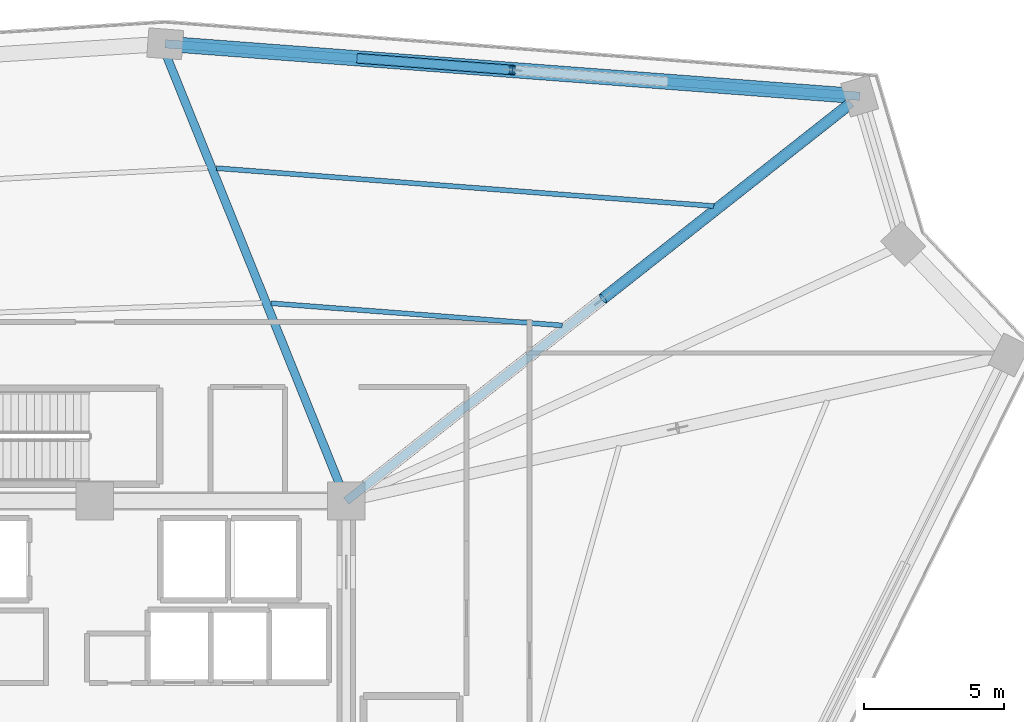
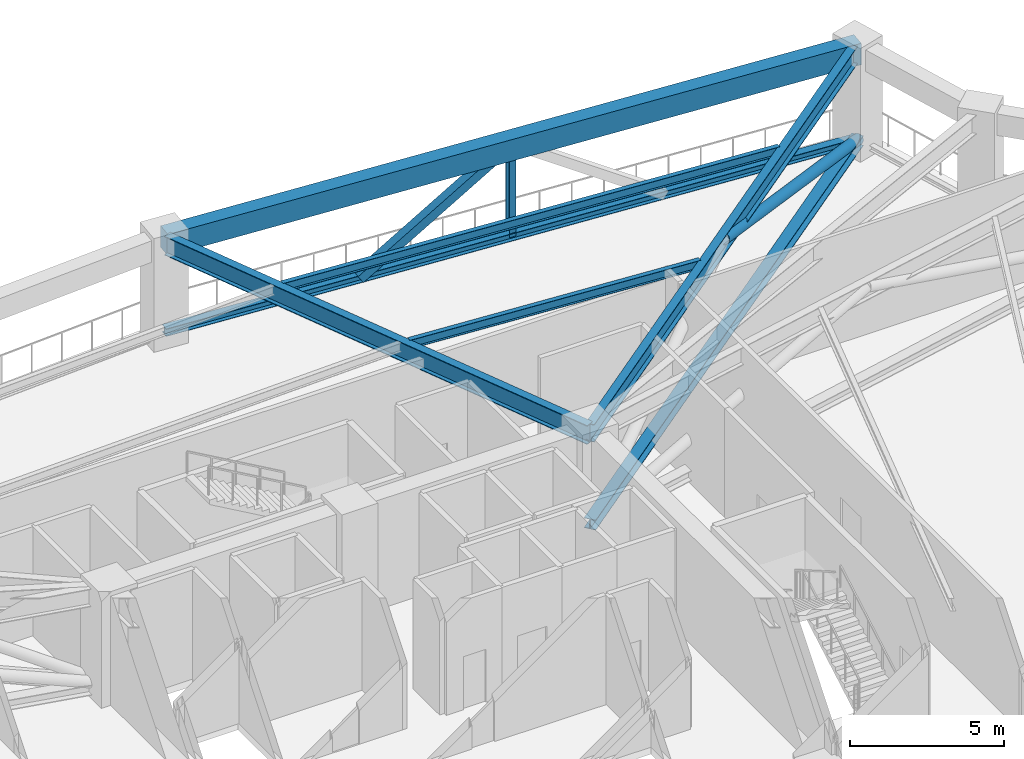
# One storey, part 10 of 25: 5 beams, 5 members.
"""IFC4 building model written with IfcOpenShell, lengths in metres."""

from ifc_helpers import new_model, si_unit, direction, frame, origin, origin_2d, place, context, subcontext, project, spatial, rectangle, hollow_rectangle, hollow_circle, i_section, extrude, source, transform, mapped, material, material_profile, profile_set, type_object, element, save


model = new_model("IFC4")

# Units and contexts
model_context = context("Model", 3, precision=1e-05, world=origin(), true_north=direction((0.0, 1.0)))
body_context = subcontext(model_context, "Body", "Model", "MODEL_VIEW")
ifc_project = project(units=[si_unit("LENGTHUNIT", "METRE"), si_unit("AREAUNIT", "SQUARE_METRE"), si_unit("VOLUMEUNIT", "CUBIC_METRE"), si_unit("PLANEANGLEUNIT", "RADIAN"), si_unit("MASSUNIT", "GRAM", prefix="KILO")], contexts=[model_context])

# Site, building, storey
site_placement = place(None, origin())
site = spatial("IfcSite", under=ifc_project, at=site_placement, CompositionType="ELEMENT")
building_placement = place(site_placement, origin())
building = spatial("IfcBuilding", under=site, at=building_placement, Name="Liaohun Quay Tower", CompositionType="ELEMENT")
storey_placement = place(building_placement, frame((0.0, 0.0, 231.75)))
storey = spatial("IfcBuildingStorey", under=building, at=storey_placement, Name="L60", CompositionType="ELEMENT", Elevation=231.75)

# Member
ifc_material_1 = material(Name="Steel Q355D", Category="steel")
ifc_material_profile_1 = material_profile(ifc_material_1, i_section(OverallWidth=0.25, OverallDepth=0.25, WebThickness=0.009033203125, FlangeThickness=0.013916015625, at=origin_2d()), Name="HW250x250x9x14")
ifc_profile_set_1 = profile_set([ifc_material_profile_1], Name="Steel Q355D")
member_type_1 = type_object("IfcMemberType", Name="MEM-BLT-PST", PredefinedType="POST", material=ifc_profile_set_1)
shared_shape_1 = source(origin(), body_context, "Body", "SweptSolid", [
    extrude(i_section(OverallWidth=0.25, OverallDepth=0.25, WebThickness=0.009033203125, FlangeThickness=0.013916015625, at=origin_2d()), origin(), (0.0, 0.0, 1.0), 3.669921875),
])
member_1_placement = place(storey_placement, frame((74.949951171875, 76.929931640625, 0.35009765625), z_axis=(0.0, 0.0, 1.0), x_axis=(1.0, 0.0, 0.0)))
element("IfcMember", 1, at=member_1_placement, inside=storey, type_object=member_type_1, Name="L60 Belt Truss Vertical Post BP-1-04", PredefinedType="POST", context=body_context, shape_type="MappedRepresentation", body=[
    mapped(shared_shape_1, transform((0.0, 0.0, 0.0), x_axis=(1.0, 0.0, 0.0), y_axis=(0.0, 1.0, 0.0), z_axis=(0.0, 0.0, 1.0), scale=1.0)),
])

# Beams
ifc_material_2 = material(Name="Precast concrete C50", Category="concrete")
ifc_material_profile_2 = material_profile(ifc_material_2, rectangle(XDim=0.550048828125, YDim=0.85009765625, at=origin_2d()), Name="RC550x850")
ifc_profile_set_2 = profile_set([ifc_material_profile_2], Name="Precast concrete C50")
beam_type_1 = type_object("IfcBeamType", Name="BM-SPD-Z3", PredefinedType="SPANDREL", material=ifc_profile_set_2)
shared_shape_2 = source(origin(), body_context, "Body", "SweptSolid", [
    extrude(rectangle(XDim=0.550048828125, YDim=0.85009765625, at=origin_2d()), origin(), (0.0, 0.0, 1.0), 24.934814453125),
])
beam_1_placement = place(storey_placement, frame((62.51806640625, 77.868896484375, 3.89501953125), z_axis=(0.997159904397, -0.075313511823, 0.0), x_axis=(0.075313511823, 0.997159904397, 0.0)))
element("IfcBeam", 2, at=beam_1_placement, inside=storey, type_object=beam_type_1, Name="L60 Precast Spandrel Beam PC06-PC07", PredefinedType="SPANDREL", context=body_context, shape_type="MappedRepresentation", body=[
    mapped(shared_shape_2, transform((0.0, 0.0, 0.0), x_axis=(1.0, 0.0, 0.0), y_axis=(0.0, 1.0, 0.0), z_axis=(0.0, 0.0, 1.0), scale=1.0)),
])
ifc_material_profile_3 = material_profile(ifc_material_1, i_section(OverallWidth=0.300048828125, OverallDepth=0.75, WebThickness=0.013916015625, FlangeThickness=0.02587890625, at=origin_2d()), Name="HN750x300x14x26")
ifc_profile_set_3 = profile_set([ifc_material_profile_3], Name="Steel Q355D")
beam_type_2 = type_object("IfcBeamType", Name="BM-RAD-M2", PredefinedType="BEAM", material=ifc_profile_set_3)
shared_shape_3 = source(origin(), body_context, "Body", "SweptSolid", [
    extrude(i_section(OverallWidth=0.300048828125, OverallDepth=0.75, WebThickness=0.013916015625, FlangeThickness=0.02587890625, at=origin_2d()), origin(), (0.0, 0.0, 1.0), 17.384521484375),
])
beam_2_placement = place(storey_placement, frame((69.0, 61.5, 3.945068359375), z_axis=(-0.374412894449, 0.927262090495, 0.0), x_axis=(-0.927262090495, -0.374412894449, 0.0)))
element("IfcBeam", 3, at=beam_2_placement, inside=storey, type_object=beam_type_2, Name="L60 Radial Primary Girder CC4-PC06", PredefinedType="BEAM", context=body_context, shape_type="MappedRepresentation", body=[
    mapped(shared_shape_3, transform((0.0, 0.0, 0.0), x_axis=(1.0, 0.0, 0.0), y_axis=(0.0, 1.0, 0.0), z_axis=(0.0, 0.0, 1.0), scale=1.0)),
])
ifc_material_profile_4 = material_profile(ifc_material_1, i_section(OverallWidth=0.300048828125, OverallDepth=0.699951171875, WebThickness=0.012939453125, FlangeThickness=0.02392578125, at=origin_2d()), Name="HN700x300x13x24")
ifc_profile_set_4 = profile_set([ifc_material_profile_4], Name="Steel Q355D")
beam_type_3 = type_object("IfcBeamType", Name="BM-RAD-U1", PredefinedType="BEAM", material=ifc_profile_set_4)
shared_shape_4 = source(origin(), body_context, "Body", "SweptSolid", [
    extrude(i_section(OverallWidth=0.300048828125, OverallDepth=0.699951171875, WebThickness=0.012939453125, FlangeThickness=0.02392578125, at=origin_2d()), origin(), (0.0, 0.0, 1.0), 23.018310546875),
])
beam_3_placement = place(storey_placement, frame((69.0, 61.5, 3.969970703125), z_axis=(0.785466672961, 0.618903955123, 0.0), x_axis=(-0.618903955123, 0.785466672961, 0.0)))
element("IfcBeam", 4, at=beam_3_placement, inside=storey, type_object=beam_type_3, Name="L60 Radial Primary Girder CC4-PC07", PredefinedType="BEAM", context=body_context, shape_type="MappedRepresentation", body=[
    mapped(shared_shape_4, transform((0.0, 0.0, 0.0), x_axis=(1.0, 0.0, 0.0), y_axis=(0.0, 1.0, 0.0), z_axis=(0.0, 0.0, 1.0), scale=1.0)),
])
ifc_material_profile_5 = material_profile(ifc_material_1, i_section(OverallWidth=0.175048828125, OverallDepth=0.35009765625, WebThickness=0.007080078125, FlangeThickness=0.010986328125, at=origin_2d()), Name="HN350x175x7x11")
ifc_profile_set_5 = profile_set([ifc_material_profile_5], Name="Steel Q355D")
beam_type_4 = type_object("IfcBeamType", Name="BM-SEC-J3", PredefinedType="JOIST", material=ifc_profile_set_5)
shared_shape_5 = source(origin(), body_context, "Body", "SweptSolid", [
    extrude(i_section(OverallWidth=0.175048828125, OverallDepth=0.35009765625, WebThickness=0.007080078125, FlangeThickness=0.010986328125, at=origin_2d()), origin(), (0.0, 0.0, 1.0), 10.461181640625),
])
beam_4_placement = place(storey_placement, frame((66.302978515625, 68.580078125, 4.14501953125), z_axis=(0.997106965928, -0.076011173506, 0.0), x_axis=(0.076011173506, 0.997106965928, 0.0)))
element("IfcBeam", 5, at=beam_4_placement, inside=storey, type_object=beam_type_4, Name="L60 Wing Secondary Floor Joist SJ-08", PredefinedType="JOIST", context=body_context, shape_type="MappedRepresentation", body=[
    mapped(shared_shape_5, transform((0.0, 0.0, 0.0), x_axis=(1.0, 0.0, 0.0), y_axis=(0.0, 1.0, 0.0), z_axis=(0.0, 0.0, 1.0), scale=1.0)),
])
shared_shape_6 = source(origin(), body_context, "Body", "SweptSolid", [
    extrude(i_section(OverallWidth=0.175048828125, OverallDepth=0.35009765625, WebThickness=0.007080078125, FlangeThickness=0.010986328125, at=origin_2d()), origin(), (0.0, 0.0, 1.0), 17.859375),
])
beam_5_placement = place(storey_placement, frame((64.35009765625, 73.416015625, 4.14501953125), z_axis=(0.997109470076, -0.075978317197, 0.0), x_axis=(0.075978317197, 0.997109470076, 0.0)))
element("IfcBeam", 6, at=beam_5_placement, inside=storey, type_object=beam_type_4, Name="L60 Wing Secondary Floor Joist SJ-09", PredefinedType="JOIST", context=body_context, shape_type="MappedRepresentation", body=[
    mapped(shared_shape_6, transform((0.0, 0.0, 0.0), x_axis=(1.0, 0.0, 0.0), y_axis=(0.0, 1.0, 0.0), z_axis=(0.0, 0.0, 1.0), scale=1.0)),
])

# Members
ifc_material_3 = material(Name="Steel Q420D", Category="steel")
ifc_material_profile_6 = material_profile(ifc_material_3, i_section(OverallWidth=0.407958984375, OverallDepth=0.39990234375, WebThickness=0.02099609375, FlangeThickness=0.02099609375, at=origin_2d()), Name="HW400x408x21x21")
ifc_profile_set_6 = profile_set([ifc_material_profile_6], Name="Steel Q420D")
member_type_2 = type_object("IfcMemberType", Name="MEM-OUT-CH2", PredefinedType="CHORD", material=ifc_profile_set_6)
shared_shape_7 = source(origin(), body_context, "Body", "SweptSolid", [
    extrude(i_section(OverallWidth=0.407958984375, OverallDepth=0.39990234375, WebThickness=0.02099609375, FlangeThickness=0.02099609375, at=origin_2d()), origin(), (0.0, 0.0, 1.0), 23.406982421875),
])
member_2_placement = place(storey_placement, frame((69.0, 61.5, 0.35009765625), z_axis=(0.785323092989, 0.619086132633, 0.0), x_axis=(-0.619086132633, 0.785323092989, 0.0)))
element("IfcMember", 7, at=member_2_placement, inside=storey, type_object=member_type_2, Name="L60 Outrigger Bottom Chord OC-04", PredefinedType="CHORD", context=body_context, shape_type="MappedRepresentation", body=[
    mapped(shared_shape_7, transform((0.0, 0.0, 0.0), x_axis=(1.0, 0.0, 0.0), y_axis=(0.0, 1.0, 0.0), z_axis=(0.0, 0.0, 1.0), scale=1.0)),
])
ifc_material_profile_7 = material_profile(ifc_material_3, hollow_circle(Radius=0.202880859375, WallThickness=0.01611328125, at=origin_2d()), Name="CHS406x16")
ifc_profile_set_7 = profile_set([ifc_material_profile_7], Name="Steel Q420D")
member_type_3 = type_object("IfcMemberType", Name="MEM-OUT-DG2", PredefinedType="BRACE", material=ifc_profile_set_7)
shared_shape_8 = source(origin(), body_context, "Body", "SweptSolid", [
    extrude(hollow_circle(Radius=0.202880859375, WallThickness=0.01611328125, at=origin_2d()), origin(), (0.0, 0.0, 1.0), 12.265625),
])
member_3_placement = place(storey_placement, frame((78.19091796875, 68.7451171875, 4.02001953125), z_axis=(0.749336759036, 0.590739386177, -0.299201268675), x_axis=(-0.61910035912, 0.785311877752, 0.0)))
element("IfcMember", 8, at=member_3_placement, inside=storey, type_object=member_type_3, Name="L60 Outrigger Diagonal OD-04B", PredefinedType="BRACE", context=body_context, shape_type="MappedRepresentation", body=[
    mapped(shared_shape_8, transform((0.0, 0.0, 0.0), x_axis=(1.0, 0.0, 0.0), y_axis=(0.0, 1.0, 0.0), z_axis=(0.0, 0.0, 1.0), scale=1.0)),
])
ifc_material_profile_8 = material_profile(ifc_material_1, i_section(OverallWidth=0.300048828125, OverallDepth=0.300048828125, WebThickness=0.010009765625, FlangeThickness=0.014892578125, at=origin_2d()), Name="HW300x300x10x15")
ifc_profile_set_8 = profile_set([ifc_material_profile_8], Name="Steel Q355D")
member_type_4 = type_object("IfcMemberType", Name="MEM-BLT-CHD", PredefinedType="CHORD", material=ifc_profile_set_8)
shared_shape_9 = source(origin(), body_context, "Body", "SweptSolid", [
    extrude(i_section(OverallWidth=0.300048828125, OverallDepth=0.300048828125, WebThickness=0.010009765625, FlangeThickness=0.014892578125, at=origin_2d()), origin(), (0.0, 0.0, 1.0), 24.934814453125),
])
member_4_placement = place(storey_placement, frame((62.51806640625, 77.868896484375, 0.35009765625), z_axis=(0.997159904397, -0.075313511823, 0.0), x_axis=(0.075313511823, 0.997159904397, 0.0)))
element("IfcMember", 9, at=member_4_placement, inside=storey, type_object=member_type_4, Name="L60 Belt Truss Bottom Chord BC-1-04", PredefinedType="CHORD", context=body_context, shape_type="MappedRepresentation", body=[
    mapped(shared_shape_9, transform((0.0, 0.0, 0.0), x_axis=(1.0, 0.0, 0.0), y_axis=(0.0, 1.0, 0.0), z_axis=(0.0, 0.0, 1.0), scale=1.0)),
])
ifc_material_profile_9 = material_profile(ifc_material_1, hollow_rectangle(XDim=0.35009765625, YDim=0.35009765625, WallThickness=0.01611328125, at=origin_2d()), Name="SHS350x350x16")
ifc_profile_set_9 = profile_set([ifc_material_profile_9], Name="Steel Q355D")
member_type_5 = type_object("IfcMemberType", Name="MEM-BLT-DG2", PredefinedType="BRACE", material=ifc_profile_set_9)
shared_shape_10 = source(origin(), body_context, "Body", "SweptSolid", [
    extrude(hollow_rectangle(XDim=0.35009765625, YDim=0.35009765625, WallThickness=0.01611328125, at=origin_2d()), origin(), (0.0, 0.0, 1.0), 6.599853515625),
])
member_5_placement = place(storey_placement, frame((69.47998046875, 77.343017578125, 0.35009765625), z_axis=(0.828787758352, -0.062589104536, 0.556051666304), x_axis=(0.07530442843, 0.997160590406, 0.0)))
element("IfcMember", 10, at=member_5_placement, inside=storey, type_object=member_type_5, Name="L60 Belt Truss Diagonal BD-04A", PredefinedType="BRACE", context=body_context, shape_type="MappedRepresentation", body=[
    mapped(shared_shape_10, transform((0.0, 0.0, 0.0), x_axis=(1.0, 0.0, 0.0), y_axis=(0.0, 1.0, 0.0), z_axis=(0.0, 0.0, 1.0), scale=1.0)),
])

save(model, "model.ifc")
